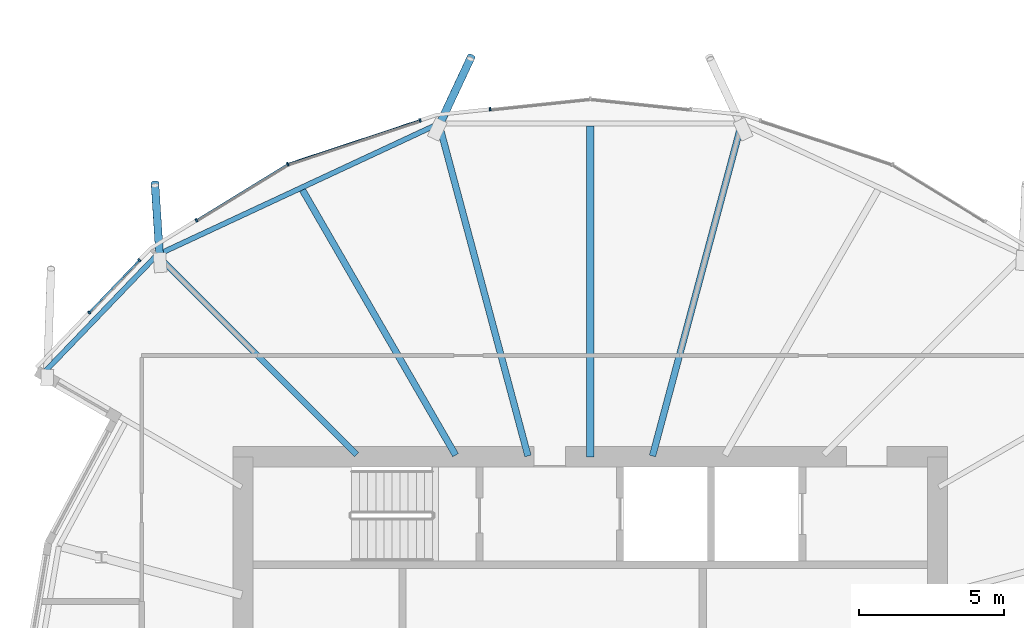
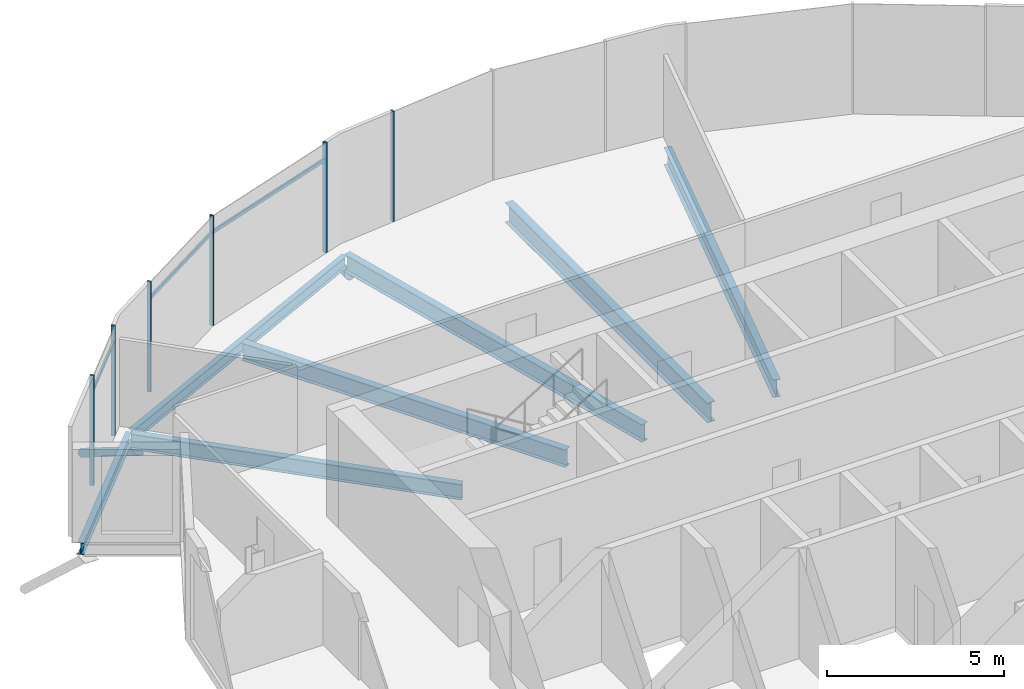
# One storey, part 9 of 39: 11 members, 7 beams, 1 element without a shape of its own.
"""IFC4 building model written with IfcOpenShell, lengths in metres."""

from ifc_helpers import new_model, si_unit, direction, frame, origin, origin_2d, place, context, subcontext, project, spatial, rectangle, hollow_circle, i_section, extrude, clip, halfspace, material, material_profile, profile_set, type_object, element, aggregate, save


model = new_model("IFC4")

# Units and contexts
model_context = context("Model", 3, precision=1e-05, world=origin(), true_north=direction((0.0, 1.0)))
body_context = subcontext(model_context, "Body", "Model", "MODEL_VIEW")
ifc_project = project(units=[si_unit("LENGTHUNIT", "METRE"), si_unit("AREAUNIT", "SQUARE_METRE"), si_unit("VOLUMEUNIT", "CUBIC_METRE"), si_unit("PLANEANGLEUNIT", "RADIAN"), si_unit("MASSUNIT", "GRAM", prefix="KILO")], contexts=[model_context])

# Site, building, storey
site_placement = place(None, origin())
site = spatial("IfcSite", under=ifc_project, at=site_placement, CompositionType="ELEMENT")
building_placement = place(site_placement, origin())
building = spatial("IfcBuilding", under=site, at=building_placement, Name="Rimbun Link Towers", CompositionType="ELEMENT")
storey_placement = place(building_placement, frame((0.0, 0.0, 143.0)))
storey = spatial("IfcBuildingStorey", under=building, at=storey_placement, Name="L34", CompositionType="ELEMENT", Elevation=143.0)

# Curtain wall, members
ifc_material_1 = material(Name="Aluminium 6063-T6 and low-iron glass", Category="aluminium")
curtain_wall_type = type_object("IfcCurtainWallType", Name="CW4 link block wall", PredefinedType="NOTDEFINED", material=ifc_material_1)
curtain_wall_placement = place(storey_placement, origin())
curtain_wall = element("IfcCurtainWall", 1, at=curtain_wall_placement, inside=storey, type_object=curtain_wall_type, Name="CW4 L34 T1", PredefinedType="NOTDEFINED")
ifc_material_2 = material(Name="Aluminium 6063-T6", Category="aluminium")
ifc_material_profile_1 = material_profile(ifc_material_2, rectangle(XDim=0.1201171875, YDim=0.06005859375, at=origin_2d()), Name="MULLION 60X120")
ifc_profile_set_1 = profile_set([ifc_material_profile_1], Name="Aluminium 6063-T6")
member_type_1 = type_object("IfcMemberType", Name="CW4 mullion 60X120", PredefinedType="MULLION", material=ifc_profile_set_1)
member_1_placement = place(storey_placement, frame((-35.21044921875, 20.011474609375, 0.0), z_axis=(0.0, 0.0, 1.0), x_axis=(-0.104745411125, 0.994499069305, 0.0)))
member_1 = element("IfcMember", 2, at=member_1_placement, type_object=member_type_1, Name="CW4 mullion", PredefinedType="MULLION", context=body_context, shape_type="SweptSolid", body=[
    extrude(rectangle(XDim=0.1201171875, YDim=0.06005859375, at=origin_2d()), origin(), (0.0, 0.0, 1.0), 3.800048828125),
])
member_2_placement = place(storey_placement, frame((-42.20068359375, 18.11181640625, 0.0), z_axis=(0.0, 0.0, 1.0), x_axis=(-0.421697332152, 0.906736654192, 0.0)))
member_2 = element("IfcMember", 3, at=member_2_placement, type_object=member_type_1, Name="CW4 mullion", PredefinedType="MULLION", context=body_context, shape_type="SweptSolid", body=[
    extrude(rectangle(XDim=0.1201171875, YDim=0.06005859375, at=origin_2d()), origin(), (0.0, 0.0, 1.0), 3.800048828125),
])
member_3_placement = place(storey_placement, frame((-37.632568359375, 19.626220703125, 0.0), z_axis=(0.0, 0.0, 1.0), x_axis=(-0.314567961741, 0.949234953763, 0.0)))
member_3 = element("IfcMember", 4, at=member_3_placement, type_object=member_type_1, Name="CW4 mullion", PredefinedType="MULLION", context=body_context, shape_type="SweptSolid", body=[
    extrude(rectangle(XDim=0.1201171875, YDim=0.06005859375, at=origin_2d()), origin(), (0.0, 0.0, 1.0), 3.800048828125),
])
member_4_placement = place(storey_placement, frame((-45.359130859375, 16.17333984375, 0.0), z_axis=(0.0, 0.0, 1.0), x_axis=(-0.523225378089, 0.852194346217, 0.0)))
member_4 = element("IfcMember", 5, at=member_4_placement, type_object=member_type_1, Name="CW4 mullion", PredefinedType="MULLION", context=body_context, shape_type="SweptSolid", body=[
    extrude(rectangle(XDim=0.1201171875, YDim=0.06005859375, at=origin_2d()), origin(), (0.0, 0.0, 1.0), 3.800048828125),
])
member_5_placement = place(storey_placement, frame((-49.066162109375, 12.98583984375, 0.0), z_axis=(0.0, 0.0, 1.0), x_axis=(-0.721858090698, 0.692041109252, 0.0)))
member_5 = element("IfcMember", 6, at=member_5_placement, type_object=member_type_1, Name="CW4 mullion", PredefinedType="MULLION", context=body_context, shape_type="SweptSolid", body=[
    extrude(rectangle(XDim=0.1201171875, YDim=0.06005859375, at=origin_2d()), origin(), (0.0, 0.0, 1.0), 3.800048828125),
])
member_6_placement = place(storey_placement, frame((-47.328125, 14.798583984375, 0.0), z_axis=(0.0, 0.0, 1.0), x_axis=(-0.721858090698, 0.692041109252, 0.0)))
member_6 = element("IfcMember", 7, at=member_6_placement, type_object=member_type_1, Name="CW4 mullion", PredefinedType="MULLION", context=body_context, shape_type="SweptSolid", body=[
    extrude(rectangle(XDim=0.1201171875, YDim=0.06005859375, at=origin_2d()), origin(), (0.0, 0.0, 1.0), 3.800048828125),
])
ifc_material_3 = material(Name="Aluminium 6063-T6", Category="aluminium")
ifc_material_profile_2 = material_profile(ifc_material_3, rectangle(XDim=0.06005859375, YDim=0.1201171875, at=origin_2d()), Name="TRANSOM 60X120")
ifc_profile_set_2 = profile_set([ifc_material_profile_2], Name="Aluminium 6063-T6")
member_type_2 = type_object("IfcMemberType", Name="CW4 transom 60X120", PredefinedType="USERDEFINED", material=ifc_profile_set_2)
member_7_placement = place(storey_placement, frame((-42.165283203125, 18.1220703125, 3.199951171875), z_axis=(0.949232304469, 0.314575956093, 0.0), x_axis=(-0.314575956093, 0.949232304469, 0.0)))
member_7 = element("IfcMember", 8, at=member_7_placement, type_object=member_type_2, Name="CW4 transom", ObjectType="TRANSOM", PredefinedType="USERDEFINED", context=body_context, shape_type="SweptSolid", body=[
    extrude(rectangle(XDim=0.06005859375, YDim=0.1201171875, at=origin_2d()), origin(), (0.0, 0.0, 1.0), 4.745849609375),
])
member_8_placement = place(storey_placement, frame((-45.33251953125, 16.187255859375, 3.199951171875), z_axis=(0.852185396319, 0.523239954802, 0.0), x_axis=(-0.523239954802, 0.852185396319, 0.0)))
member_8 = element("IfcMember", 9, at=member_8_placement, type_object=member_type_2, Name="CW4 transom", ObjectType="TRANSOM", PredefinedType="USERDEFINED", context=body_context, shape_type="SweptSolid", body=[
    extrude(rectangle(XDim=0.06005859375, YDim=0.1201171875, at=origin_2d()), origin(), (0.0, 0.0, 1.0), 3.638916015625),
])
member_9_placement = place(storey_placement, frame((-49.0439453125, 13.006103515625, 3.199951171875), z_axis=(0.692061088361, 0.721838936313, 0.0), x_axis=(-0.721838936313, 0.692061088361, 0.0)))
member_9 = element("IfcMember", 10, at=member_9_placement, type_object=member_type_2, Name="CW4 transom", ObjectType="TRANSOM", PredefinedType="USERDEFINED", context=body_context, shape_type="SweptSolid", body=[
    extrude(rectangle(XDim=0.06005859375, YDim=0.1201171875, at=origin_2d()), origin(), (0.0, 0.0, 1.0), 2.451416015625),
])
aggregate(curtain_wall, [member_1, member_2, member_3, member_4, member_5, member_6, member_7, member_8, member_9])

# Members
ifc_material_4 = material(Name="Steel S355J2H", Category="steel")
ifc_material_profile_3 = material_profile(ifc_material_4, hollow_circle(Radius=0.136474609375, WallThickness=0.012451171875, at=origin_2d()), Name="CHS 273x12.5")
ifc_profile_set_3 = profile_set([ifc_material_profile_3], Name="Steel S355J2H")
member_type_3 = type_object("IfcMemberType", Name="Floor edge link CHS 273x12.5", PredefinedType="BRACE", material=ifc_profile_set_3)
member_10_placement = place(storey_placement, frame((-36.9658203125, 19.465087890625, -0.900146484375), z_axis=(0.365492149956, 0.780301202382, -0.507489430315), x_axis=(-0.905581122198, 0.424173114563, 0.0)))
element("IfcMember", 11, at=member_10_placement, inside=storey, type_object=member_type_3, Name="Floor edge link T1 L34 07", PredefinedType="BRACE", context=body_context, shape_type="Clipping", body=[
    clip(extrude(hollow_circle(Radius=0.136474609375, WallThickness=0.012451171875, at=origin_2d()), frame((0.0, 0.0, -0.483154296875)), (0.0, 0.0, 1.0), 3.517822265625), halfspace(frame((0.0, 0.0, -0.227783203125), z_axis=(0.0, 0.861657982101, -0.507489430315)), False)),
])
member_11_placement = place(storey_placement, frame((-46.62353515625, 14.87353515625, -0.829833984375), z_axis=(-0.05554617836, 0.854012444136, -0.517278810054), x_axis=(-0.997891494614, -0.064904275487, 0.0)))
element("IfcMember", 12, at=member_11_placement, inside=storey, type_object=member_type_3, Name="Floor edge link T1 L34 09", PredefinedType="BRACE", context=body_context, shape_type="Clipping", body=[
    clip(extrude(hollow_circle(Radius=0.136474609375, WallThickness=0.012451171875, at=origin_2d()), frame((0.0, 0.0, -0.470947265625)), (0.0, 0.0, 1.0), 3.508056640625), halfspace(frame((0.0, 0.0, -0.221923828125), z_axis=(0.0, 0.85581693876, -0.517278810054)), False)),
])

# Beams
ifc_material_5 = material(Name="Steel S355J2", Category="steel")
ifc_material_profile_4 = material_profile(ifc_material_5, i_section(OverallWidth=0.177978515625, OverallDepth=0.406494140625, WebThickness=0.0078125, FlangeThickness=0.0126953125, at=origin_2d()), Name="UB 406x178x60")
ifc_profile_set_4 = profile_set([ifc_material_profile_4], Name="Steel S355J2")
beam_type_1 = type_object("IfcBeamType", Name="UB 406x178x60", PredefinedType="BEAM", material=ifc_profile_set_4)
beam_1_placement = place(storey_placement, frame((-37.084228515625, 19.46435546875, -0.38330078125), z_axis=(-0.906400585734, -0.422419197222, 0.0), x_axis=(0.422419197222, -0.906400585734, 0.0)))
element("IfcBeam", 13, at=beam_1_placement, inside=storey, type_object=beam_type_1, Name="Edge beam T1 L34 07-09", PredefinedType="BEAM", context=body_context, shape_type="SweptSolid", body=[
    extrude(i_section(OverallWidth=0.177978515625, OverallDepth=0.406494140625, WebThickness=0.0078125, FlangeThickness=0.0126953125, at=origin_2d()), origin(), (0.0, 0.0, 1.0), 10.521240234375),
])
beam_2_placement = place(storey_placement, frame((-46.72314453125, 14.9716796875, -0.38330078125), z_axis=(-0.692949602563, -0.720986025044, 0.0), x_axis=(0.720986025044, -0.692949602563, 0.0)))
element("IfcBeam", 14, at=beam_2_placement, inside=storey, type_object=beam_type_1, Name="Edge beam T1 L34 09", PredefinedType="BEAM", context=body_context, shape_type="SweptSolid", body=[
    extrude(i_section(OverallWidth=0.177978515625, OverallDepth=0.406494140625, WebThickness=0.0078125, FlangeThickness=0.0126953125, at=origin_2d()), origin(), (0.0, 0.0, 1.0), 5.642822265625),
])
ifc_material_6 = material(Name="Steel S355J2", Category="steel")
ifc_material_profile_5 = material_profile(ifc_material_6, i_section(OverallWidth=0.209228515625, OverallDepth=0.533203125, WebThickness=0.010009765625, FlangeThickness=0.015625, at=origin_2d()), Name="UB 533x210x92")
ifc_profile_set_5 = profile_set([ifc_material_profile_5], Name="Steel S355J2")
beam_type_2 = type_object("IfcBeamType", Name="UB 533x210x92", PredefinedType="BEAM", material=ifc_profile_set_5)
beam_3_placement = place(storey_placement, frame((-39.82470703125, 8.07470703125, -0.446533203125), z_axis=(-0.707106781187, 0.707106781187, 0.0), x_axis=(-0.707106781187, -0.707106781187, 0.0)))
element("IfcBeam", 15, at=beam_3_placement, inside=storey, type_object=beam_type_2, Name="Radial beam T1 L34 09", PredefinedType="BEAM", context=body_context, shape_type="SweptSolid", body=[
    extrude(i_section(OverallWidth=0.209228515625, OverallDepth=0.533203125, WebThickness=0.010009765625, FlangeThickness=0.015625, at=origin_2d()), origin(), (0.0, 0.0, 1.0), 9.664794921875),
])
ifc_material_7 = material(Name="Steel S355J2", Category="steel")
ifc_material_profile_6 = material_profile(ifc_material_7, i_section(OverallWidth=0.2275390625, OverallDepth=0.6025390625, WebThickness=0.010498046875, FlangeThickness=0.014892578125, at=origin_2d()), Name="UB 610x229x101")
ifc_profile_set_6 = profile_set([ifc_material_profile_6], Name="Steel S355J2")
beam_type_3 = type_object("IfcBeamType", Name="UB 610x229x101", PredefinedType="BEAM", material=ifc_profile_set_6)
for number, where, z_axis, x_axis, name in (
    (16, (-29.598388671875, 8.030517578125, -0.481201171875), (0.258824365794, 0.965924400598, 0.0), (-0.965924400598, 0.258824365794, 0.0), "Radial beam T1 L34 05"),
    (17, (-33.901611328125, 8.030517578125, -0.481201171875), (-0.258824365794, 0.965924400598, 0.0), (-0.965924400598, -0.258824365794, 0.0), "Radial beam T1 L34 07"),
):
    element("IfcBeam", number, at=place(storey_placement, frame(where, z_axis=z_axis, x_axis=x_axis)), inside=storey, type_object=beam_type_3, Name=name, PredefinedType="BEAM", context=body_context, shape_type="SweptSolid", body=[
        extrude(i_section(OverallWidth=0.2275390625, OverallDepth=0.6025390625, WebThickness=0.010498046875, FlangeThickness=0.014892578125, at=origin_2d()), origin(), (0.0, 0.0, 1.0), 11.887939453125),
    ])
beam_4_placement = place(storey_placement, frame((-36.402099609375, 8.057861328125, -0.481201171875), z_axis=(-0.500014158692, 0.866017229106, 0.0), x_axis=(-0.866017229106, -0.500014158692, 0.0)))
element("IfcBeam", 18, at=beam_4_placement, inside=storey, type_object=beam_type_3, Name="Radial beam T1 L34 08", PredefinedType="BEAM", context=body_context, shape_type="SweptSolid", body=[
    extrude(i_section(OverallWidth=0.2275390625, OverallDepth=0.6025390625, WebThickness=0.010498046875, FlangeThickness=0.014892578125, at=origin_2d()), origin(), (0.0, 0.0, 1.0), 10.577392578125),
])
ifc_material_8 = material(Name="Steel S355J2", Category="steel")
ifc_material_profile_7 = material_profile(ifc_material_8, i_section(OverallWidth=0.253662109375, OverallDepth=0.68359375, WebThickness=0.012451171875, FlangeThickness=0.01904296875, at=origin_2d()), Name="UB 686x254x140")
ifc_profile_set_7 = profile_set([ifc_material_profile_7], Name="Steel S355J2")
beam_type_4 = type_object("IfcBeamType", Name="UB 686x254x140", PredefinedType="BEAM", material=ifc_profile_set_7)
beam_5_placement = place(storey_placement, frame((-31.75, 8.0009765625, -0.521728515625), z_axis=(0.0, 1.0, 0.0), x_axis=(-1.0, 0.0, 0.0)))
element("IfcBeam", 19, at=beam_5_placement, inside=storey, type_object=beam_type_4, Name="Radial beam T1 L34 06", PredefinedType="BEAM", context=body_context, shape_type="SweptSolid", body=[
    extrude(i_section(OverallWidth=0.253662109375, OverallDepth=0.68359375, WebThickness=0.012451171875, FlangeThickness=0.01904296875, at=origin_2d()), origin(), (0.0, 0.0, 1.0), 11.422607421875),
])

save(model, "model.ifc")
